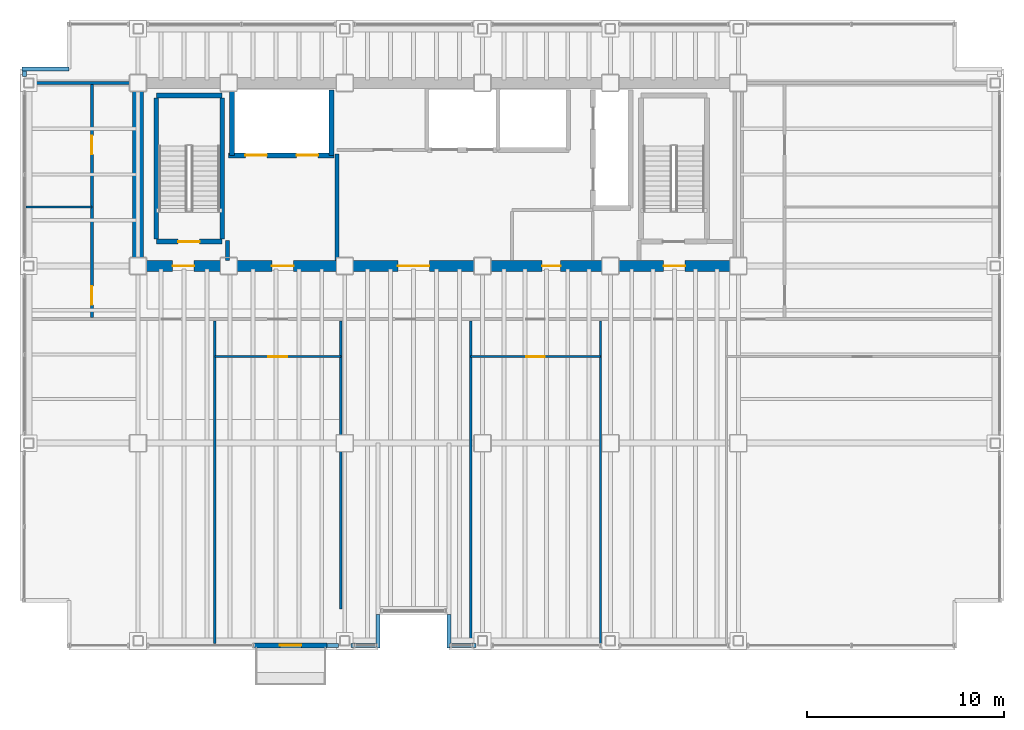
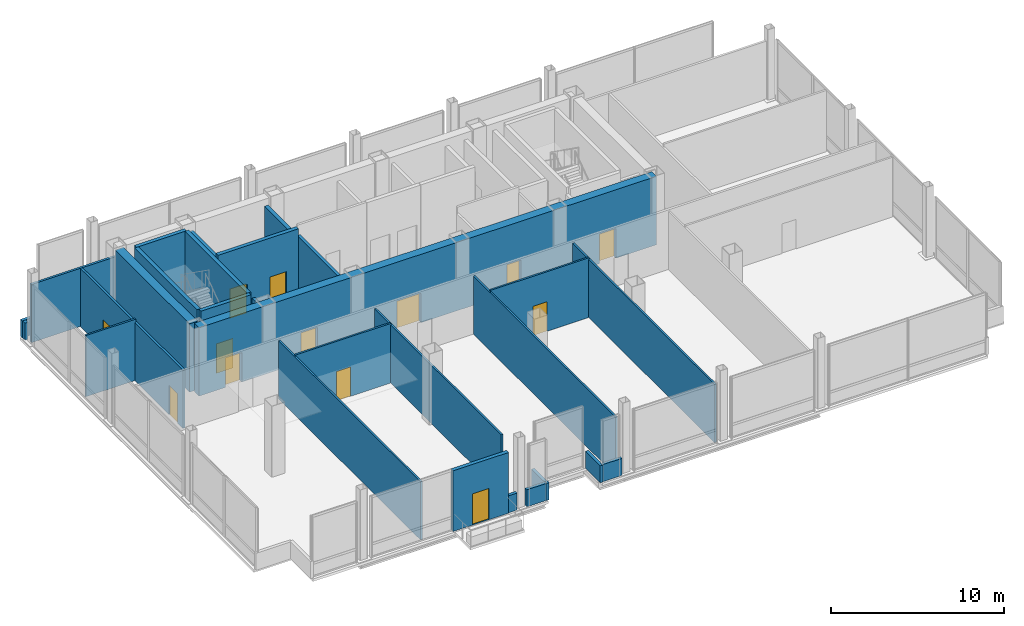
# One storey, part 18 of 22: 28 walls, 13 doors, 13 openings.
"""IFC4 building model written with IfcOpenShell, lengths in metres."""

from ifc_helpers import new_model, si_unit, direction, frame, frame_2d, origin, place, context, subcontext, project, spatial, rectangle, extrude, material, layer, layer_set, type_object, element, fill, save


model = new_model("IFC4")

# Units and contexts
model_context = context("Model", 3, precision=1e-05, world=origin(), true_north=direction((0.0, 1.0)))
body_context = subcontext(model_context, "Body", "Model", "MODEL_VIEW")
ifc_project = project(units=[si_unit("LENGTHUNIT", "METRE"), si_unit("AREAUNIT", "SQUARE_METRE"), si_unit("VOLUMEUNIT", "CUBIC_METRE"), si_unit("PLANEANGLEUNIT", "RADIAN"), si_unit("MASSUNIT", "GRAM", prefix="KILO")], contexts=[model_context])

# Site, building, storey
site_placement = place(None, origin())
site = spatial("IfcSite", under=ifc_project, at=site_placement, CompositionType="ELEMENT")
building_placement = place(site_placement, origin())
building = spatial("IfcBuilding", under=site, at=building_placement, Name="Noeulbin Bourse Tower", CompositionType="ELEMENT")
storey_placement = place(building_placement, frame((0.0, 0.0, 106.0)))
storey = spatial("IfcBuildingStorey", under=building, at=storey_placement, Name="L26", CompositionType="ELEMENT", Elevation=106.0)

# Wall, openings, doors
ifc_material_1 = material(Name="Concrete C60/75", Category="concrete")
ifc_layer_1 = layer(ifc_material_1, 0.550048828125)
ifc_layer_set_1 = layer_set([ifc_layer_1], Name="Concrete C60/75")
wall_type_1 = type_object("IfcWallType", Name="WAL-CORE-550", PredefinedType="SHEAR", material=ifc_layer_set_1)
wall_1_placement = place(storey_placement, frame((13.5, 29.0, 0.0), z_axis=(0.0, 0.0, 1.0), x_axis=(1.0, 0.0, 0.0)))
wall_1 = element("IfcWall", 1, at=wall_1_placement, inside=storey, type_object=wall_type_1, Name="Rear Core South Shear Wall L26", PredefinedType="SHEAR", context=body_context, shape_type="SweptSolid", body=[
    extrude(rectangle(XDim=30.5, YDim=0.550048828125, at=frame_2d((15.25, 0.0))), origin(), (0.0, 0.0, 1.0), 4.820068359375),
])
opening_1_placement = place(wall_1_placement, frame((1.75, 0.0, 0.0)))
opening_1 = element("IfcOpeningElement", 2, at=opening_1_placement, cuts=wall_1, Name="Opening FD-11", PredefinedType="OPENING", context=body_context, shape_type="SweptSolid", body=[
    extrude(rectangle(XDim=1.10009765625, YDim=2.080078125, at=frame_2d((0.550048828125, 1.0400390625))), frame((0.0, 0.284912109375, 0.0), z_axis=(0.0, -1.0, 0.0), x_axis=(1.0, 0.0, 0.0)), (0.0, 0.0, 1.0), 0.570068359375),
])
opening_2_placement = place(wall_1_placement, frame((26.699951171875, 0.0, 0.0)))
opening_2 = element("IfcOpeningElement", 3, at=opening_2_placement, cuts=wall_1, Name="Opening FD-11", PredefinedType="OPENING", context=body_context, shape_type="SweptSolid", body=[
    extrude(rectangle(XDim=1.10009765625, YDim=2.080078125, at=frame_2d((0.550048828125, 1.0400390625))), frame((0.0, 0.284912109375, 0.0), z_axis=(0.0, -1.0, 0.0), x_axis=(1.0, 0.0, 0.0)), (0.0, 0.0, 1.0), 0.570068359375),
])
opening_3_placement = place(wall_1_placement, frame((6.800048828125, 0.0, 0.0)))
opening_3 = element("IfcOpeningElement", 4, at=opening_3_placement, cuts=wall_1, Name="Opening FD-11", PredefinedType="OPENING", context=body_context, shape_type="SweptSolid", body=[
    extrude(rectangle(XDim=1.10009765625, YDim=2.080078125, at=frame_2d((0.550048828125, 1.0400390625))), frame((0.0, 0.284912109375, 0.0), z_axis=(0.0, -1.0, 0.0), x_axis=(1.0, 0.0, 0.0)), (0.0, 0.0, 1.0), 0.570068359375),
])
opening_4_placement = place(wall_1_placement, frame((13.199951171875, 0.0, 0.0)))
opening_4 = element("IfcOpeningElement", 5, at=opening_4_placement, cuts=wall_1, Name="Opening ID-16", PredefinedType="OPENING", context=body_context, shape_type="SweptSolid", body=[
    extrude(rectangle(XDim=1.60009765625, YDim=2.080078125, at=frame_2d((0.800048828125, 1.0400390625))), frame((0.0, 0.284912109375, 0.0), z_axis=(0.0, -1.0, 0.0), x_axis=(1.0, 0.0, 0.0)), (0.0, 0.0, 1.0), 0.570068359375),
])
opening_5_placement = place(wall_1_placement, frame((20.52490234375, 0.0, 0.0)))
opening_5 = element("IfcOpeningElement", 6, at=opening_5_placement, cuts=wall_1, Name="Opening ID-09", PredefinedType="OPENING", context=body_context, shape_type="SweptSolid", body=[
    extrude(rectangle(XDim=0.949951171875, YDim=2.080078125, at=frame_2d((0.47509765625, 1.0400390625))), frame((0.0, 0.284912109375, 0.0), z_axis=(0.0, -1.0, 0.0), x_axis=(1.0, 0.0, 0.0)), (0.0, 0.0, 1.0), 0.570068359375),
])
ifc_material_2 = material(Name="Acoustic Glazed Aluminium", Category="aluminium")
door_type_1 = type_object("IfcDoorType", Name="DR-DBL-1600", OperationType="DOUBLE_DOOR_SINGLE_SWING", PredefinedType="DOOR", material=ifc_material_2)
door_1_placement = place(opening_4_placement, origin())
door_1 = element("IfcDoor", 7, at=door_1_placement, inside=storey, type_object=door_type_1, Name="Passenger Lift Lobby Portal L26", OperationType="DOUBLE_DOOR_SINGLE_SWING", OverallHeight=2.080078125, OverallWidth=1.60009765625, PredefinedType="DOOR", context=body_context, shape_type="SweptSolid", body=[
    extrude(rectangle(XDim=1.60009765625, YDim=2.080078125, at=frame_2d((0.800048828125, 1.0400390625))), frame((0.0, 0.02490234375, 0.0), z_axis=(0.0, -1.0, 0.0), x_axis=(1.0, 0.0, 0.0)), (0.0, 0.0, 1.0), 0.050048828125),
])
fill(opening_4, door_1)
ifc_material_3 = material(Name="Fire-Rated Insulated Steel", Category="steel")
door_type_2 = type_object("IfcDoorType", Name="DR-FD60-1100", OperationType="SINGLE_SWING_LEFT", PredefinedType="DOOR", material=ifc_material_3)
door_2_placement = place(opening_1_placement, origin())
door_2 = element("IfcDoor", 8, at=door_2_placement, inside=storey, type_object=door_type_2, Name="West Stair Lobby Door L26", OperationType="SINGLE_SWING_RIGHT", OverallHeight=2.080078125, OverallWidth=1.10009765625, PredefinedType="DOOR", context=body_context, shape_type="SweptSolid", body=[
    extrude(rectangle(XDim=1.10009765625, YDim=2.080078125, at=frame_2d((0.550048828125, 1.0400390625))), frame((0.0, 0.02490234375, 0.0), z_axis=(0.0, -1.0, 0.0), x_axis=(1.0, 0.0, 0.0)), (0.0, 0.0, 1.0), 0.050048828125),
])
fill(opening_1, door_2)
door_3_placement = place(opening_2_placement, origin())
door_3 = element("IfcDoor", 9, at=door_3_placement, inside=storey, type_object=door_type_2, Name="East Stair Lobby Door L26", OperationType="SINGLE_SWING_LEFT", OverallHeight=2.080078125, OverallWidth=1.10009765625, PredefinedType="DOOR", context=body_context, shape_type="SweptSolid", body=[
    extrude(rectangle(XDim=1.10009765625, YDim=2.080078125, at=frame_2d((0.550048828125, 1.0400390625))), frame((0.0, 0.02490234375, 0.0), z_axis=(0.0, -1.0, 0.0), x_axis=(1.0, 0.0, 0.0)), (0.0, 0.0, 1.0), 0.050048828125),
])
fill(opening_2, door_3)
door_4_placement = place(opening_3_placement, origin())
door_4 = element("IfcDoor", 10, at=door_4_placement, inside=storey, type_object=door_type_2, Name="Firefighting Lobby Door L26", OperationType="SINGLE_SWING_RIGHT", OverallHeight=2.080078125, OverallWidth=1.10009765625, PredefinedType="DOOR", context=body_context, shape_type="SweptSolid", body=[
    extrude(rectangle(XDim=1.10009765625, YDim=2.080078125, at=frame_2d((0.550048828125, 1.0400390625))), frame((0.0, 0.02490234375, 0.0), z_axis=(0.0, -1.0, 0.0), x_axis=(1.0, 0.0, 0.0)), (0.0, 0.0, 1.0), 0.050048828125),
])
fill(opening_3, door_4)
ifc_material_4 = material(Name="Acoustic Solid-Core Timber", Category="wood")
door_type_3 = type_object("IfcDoorType", Name="DR-SINGLE-950", OperationType="SINGLE_SWING_LEFT", PredefinedType="DOOR", material=ifc_material_4)
door_5_placement = place(opening_5_placement, origin())
door_5 = element("IfcDoor", 11, at=door_5_placement, inside=storey, type_object=door_type_3, Name="Interior Door L26-06", OperationType="SINGLE_SWING_LEFT", OverallHeight=2.080078125, OverallWidth=0.949951171875, PredefinedType="DOOR", context=body_context, shape_type="SweptSolid", body=[
    extrude(rectangle(XDim=0.949951171875, YDim=2.080078125, at=frame_2d((0.47509765625, 1.0400390625))), frame((0.0, 0.02490234375, 0.0), z_axis=(0.0, -1.0, 0.0), x_axis=(1.0, 0.0, 0.0)), (0.0, 0.0, 1.0), 0.050048828125),
])
fill(opening_5, door_5)

# Wall
wall_2_placement = place(storey_placement, frame((13.5, 29.35009765625, 0.0), z_axis=(0.0, 0.0, 1.0), x_axis=(0.0, 1.0, 0.0)))
element("IfcWall", 12, at=wall_2_placement, inside=storey, type_object=wall_type_1, Name="Rear Core West Shear Wall L26", PredefinedType="SHEAR", context=body_context, shape_type="SweptSolid", body=[
    extrude(rectangle(XDim=8.599853515625, YDim=0.550048828125, at=frame_2d((4.2998046875, 0.0))), origin(), (0.0, 0.0, 1.0), 4.820068359375),
])

# Wall, opening, door
ifc_material_5 = material(Name="Precast Concrete C40/50", Category="concrete")
ifc_layer_2 = layer(ifc_material_5, 0.25)
ifc_layer_set_2 = layer_set([ifc_layer_2], Name="Precast Concrete C40/50")
wall_type_2 = type_object("IfcWallType", Name="WAL-EXT-250", PredefinedType="STANDARD", material=ifc_layer_set_2)
wall_3_placement = place(storey_placement, frame((19.39990234375, 9.719970703125, 0.0), z_axis=(0.0, 0.0, 1.0), x_axis=(1.0, 0.0, 0.0)))
wall_3 = element("IfcWall", 13, at=wall_3_placement, inside=storey, type_object=wall_type_2, Name="Balcony Threshold Wall L26", PredefinedType="STANDARD", context=body_context, shape_type="SweptSolid", body=[
    extrude(rectangle(XDim=3.7001953125, YDim=0.25, at=frame_2d((1.85009765625, 0.0))), origin(), (0.0, 0.0, 1.0), 4.280029296875),
])
opening_6_placement = place(wall_3_placement, frame((1.300048828125, 0.0, 0.0)))
opening_6 = element("IfcOpeningElement", 14, at=opening_6_placement, cuts=wall_3, Name="Opening BD-11", PredefinedType="OPENING", context=body_context, shape_type="SweptSolid", body=[
    extrude(rectangle(XDim=1.10009765625, YDim=2.199951171875, at=frame_2d((0.550048828125, 1.10009765625))), frame((0.0, 0.135009765625, 0.0), z_axis=(0.0, -1.0, 0.0), x_axis=(1.0, 0.0, 0.0)), (0.0, 0.0, 1.0), 0.27001953125),
])
ifc_material_6 = material(Name="Thermally Broken Aluminium Framed Glass", Category="aluminium")
door_type_4 = type_object("IfcDoorType", Name="DR-BAL-1100", OperationType="SINGLE_SWING_LEFT", PredefinedType="DOOR", material=ifc_material_6)
door_6_placement = place(opening_6_placement, origin())
door_6 = element("IfcDoor", 15, at=door_6_placement, inside=storey, type_object=door_type_4, Name="Tree-Balcony Access Door BD-L26", OperationType="SINGLE_SWING_RIGHT", OverallHeight=2.199951171875, OverallWidth=1.10009765625, PredefinedType="DOOR", context=body_context, shape_type="SweptSolid", body=[
    extrude(rectangle(XDim=1.10009765625, YDim=2.199951171875, at=frame_2d((0.550048828125, 1.10009765625))), frame((0.0, 0.02490234375, 0.0), z_axis=(0.0, -1.0, 0.0), x_axis=(1.0, 0.0, 0.0)), (0.0, 0.0, 1.0), 0.050048828125),
])
fill(opening_6, door_6)

# Walls
ifc_material_7 = material(Name="Concrete C40/50", Category="concrete")
ifc_layer_3 = layer(ifc_material_7, 0.199951171875)
ifc_layer_set_3 = layer_set([ifc_layer_3], Name="Concrete C40/50")
wall_type_3 = type_object("IfcWallType", Name="WAL-FIRE-200", PredefinedType="STANDARD", material=ifc_layer_set_3)
wall_4_placement = place(storey_placement, frame((18.050048828125, 29.284912109375, 0.0), z_axis=(0.0, 0.0, 1.0), x_axis=(0.0, 1.0, 0.0)))
element("IfcWall", 16, at=wall_4_placement, inside=storey, type_object=wall_type_3, Name="Interior Partition Wall L26-12", PredefinedType="STANDARD", context=body_context, shape_type="SweptSolid", body=[
    extrude(rectangle(XDim=1.01513671875, YDim=0.199951171875, at=frame_2d((0.507568359375, 0.0))), origin(), (0.0, 0.0, 1.0), 4.39990234375),
])
wall_5_placement = place(storey_placement, frame((23.60009765625, 29.284912109375, 0.0), z_axis=(0.0, 0.0, 1.0), x_axis=(0.0, 1.0, 0.0)))
element("IfcWall", 17, at=wall_5_placement, inside=storey, type_object=wall_type_3, Name="Interior Partition Wall L26-14", PredefinedType="STANDARD", context=body_context, shape_type="SweptSolid", body=[
    extrude(rectangle(XDim=5.4150390625, YDim=0.199951171875, at=frame_2d((2.70751953125, 0.0))), origin(), (0.0, 0.0, 1.0), 4.199951171875),
])
ifc_layer_4 = layer(ifc_material_7, 0.199951171875)
ifc_layer_set_4 = layer_set([ifc_layer_4], Name="Concrete C40/50")
wall_type_4 = type_object("IfcWallType", Name="WAL-PAR-200", PredefinedType="PARAPET", material=ifc_layer_set_4)
wall_6_placement = place(storey_placement, frame((7.719970703125, 38.6201171875, 0.0), z_axis=(0.0, 0.0, 1.0), x_axis=(0.0, 1.0, 0.0)))
element("IfcWall", 18, at=wall_6_placement, inside=storey, type_object=wall_type_4, Name="Perimeter Pier Spandrel Parapet L26-W1", PredefinedType="PARAPET", context=body_context, shape_type="SweptSolid", body=[
    extrude(rectangle(XDim=0.27978515625, YDim=0.199951171875, at=frame_2d((0.139892578125, 0.0))), origin(), (0.0, 0.0, 1.0), 1.199951171875),
])
wall_7_placement = place(storey_placement, frame((23.10009765625, 9.719970703125, 0.0), z_axis=(0.0, 0.0, 1.0), x_axis=(1.0, 0.0, 0.0)))
element("IfcWall", 19, at=wall_7_placement, inside=storey, type_object=wall_type_4, Name="Perimeter Pier Spandrel Parapet L26-S3", PredefinedType="PARAPET", context=body_context, shape_type="SweptSolid", body=[
    extrude(rectangle(XDim=0.579833984375, YDim=0.199951171875, at=frame_2d((0.2900390625, 0.0))), origin(), (0.0, 0.0, 1.0), 1.199951171875),
])
for number, where, z_axis, x_axis, name in (
    (20, (24.320068359375, 9.719970703125, 0.0), (0.0, 0.0, 1.0), (1.0, 0.0, 0.0), "Perimeter Pier Spandrel Parapet L26-S4"),
    (21, (29.35009765625, 9.719970703125, 0.0), (0.0, 0.0, 1.0), (1.0, 0.0, 0.0), "Perimeter Pier Spandrel Parapet L26-S5"),
):
    element("IfcWall", number, at=place(storey_placement, frame(where, z_axis=z_axis, x_axis=x_axis)), inside=storey, type_object=wall_type_4, Name=name, PredefinedType="PARAPET", context=body_context, shape_type="SweptSolid", body=[
        extrude(rectangle(XDim=1.329833984375, YDim=0.199951171875, at=frame_2d((0.6650390625, 0.0))), origin(), (0.0, 0.0, 1.0), 1.199951171875),
    ])
wall_8_placement = place(storey_placement, frame((7.60009765625, 39.0, 0.0), z_axis=(0.0, 0.0, 1.0), x_axis=(1.0, 0.0, 0.0)))
element("IfcWall", 22, at=wall_8_placement, inside=storey, type_object=wall_type_4, Name="Corner Notch Parapet L26-NW1", PredefinedType="PARAPET", context=body_context, shape_type="SweptSolid", body=[
    extrude(rectangle(XDim=2.39990234375, YDim=0.199951171875, at=frame_2d((1.199951171875, 0.0))), origin(), (0.0, 0.0, 1.0), 1.199951171875),
])
for number, where, z_axis, x_axis, name in (
    (23, (25.699951171875, 9.60009765625, 0.0), (0.0, 0.0, 1.0), (0.0, 1.0, 0.0), "Sky-Garden Recess Parapet L26-W"),
    (24, (29.300048828125, 11.300048828125, 0.0), (0.0, 0.0, 1.0), (0.0, -1.0, 0.0), "Sky-Garden Recess Parapet L26-E"),
):
    element("IfcWall", number, at=place(storey_placement, frame(where, z_axis=z_axis, x_axis=x_axis)), inside=storey, type_object=wall_type_4, Name=name, PredefinedType="PARAPET", context=body_context, shape_type="SweptSolid", body=[
        extrude(rectangle(XDim=1.699951171875, YDim=0.199951171875, at=frame_2d((0.85009765625, 0.0))), origin(), (0.0, 0.0, 1.0), 1.199951171875),
    ])

# Wall, opening, door
ifc_material_8 = material(Name="Steel Stud Gypsum Partition", Category="steel")
ifc_layer_5 = layer(ifc_material_8, 0.1201171875)
ifc_layer_set_5 = layer_set([ifc_layer_5], Name="Steel Stud Gypsum Partition")
wall_type_5 = type_object("IfcWallType", Name="WAL-PRT-120", PredefinedType="PARTITIONING", material=ifc_layer_set_5)
wall_9_placement = place(storey_placement, frame((17.39990234375, 24.39990234375, 0.0), z_axis=(0.0, 0.0, 1.0), x_axis=(1.0, 0.0, 0.0)))
wall_9 = element("IfcWall", 25, at=wall_9_placement, inside=storey, type_object=wall_type_5, Name="Interior Partition Wall L26-07", PredefinedType="PARTITIONING", context=body_context, shape_type="SweptSolid", body=[
    extrude(rectangle(XDim=6.400146484375, YDim=0.1201171875, at=frame_2d((3.2001953125, 0.0))), origin(), (0.0, 0.0, 1.0), 4.199951171875),
])
opening_7_placement = place(wall_9_placement, frame((2.72509765625, 0.0, 0.0)))
opening_7 = element("IfcOpeningElement", 26, at=opening_7_placement, cuts=wall_9, Name="Opening ID-09", PredefinedType="OPENING", context=body_context, shape_type="SweptSolid", body=[
    extrude(rectangle(XDim=0.949951171875, YDim=2.080078125, at=frame_2d((0.47509765625, 1.0400390625))), frame((0.0, 0.070068359375, 0.0), z_axis=(0.0, -1.0, 0.0), x_axis=(1.0, 0.0, 0.0)), (0.0, 0.0, 1.0), 0.14013671875),
])
door_7_placement = place(opening_7_placement, origin())
door_7 = element("IfcDoor", 27, at=door_7_placement, inside=storey, type_object=door_type_3, Name="Interior Door L26-08", OperationType="SINGLE_SWING_LEFT", OverallHeight=2.080078125, OverallWidth=0.949951171875, PredefinedType="DOOR", context=body_context, shape_type="SweptSolid", body=[
    extrude(rectangle(XDim=0.949951171875, YDim=2.080078125, at=frame_2d((0.47509765625, 1.0400390625))), frame((0.0, 0.02490234375, 0.0), z_axis=(0.0, -1.0, 0.0), x_axis=(1.0, 0.0, 0.0)), (0.0, 0.0, 1.0), 0.050048828125),
])
fill(opening_7, door_7)

wall_10_placement = place(storey_placement, frame((30.39990234375, 24.39990234375, 0.0), z_axis=(0.0, 0.0, 1.0), x_axis=(1.0, 0.0, 0.0)))
wall_10 = element("IfcWall", 28, at=wall_10_placement, inside=storey, type_object=wall_type_5, Name="Interior Partition Wall L26-08", PredefinedType="PARTITIONING", context=body_context, shape_type="SweptSolid", body=[
    extrude(rectangle(XDim=6.60009765625, YDim=0.1201171875, at=frame_2d((3.300048828125, 0.0))), origin(), (0.0, 0.0, 1.0), 4.199951171875),
])
opening_8_placement = place(wall_10_placement, frame((2.824951171875, 0.0, 0.0)))
opening_8 = element("IfcOpeningElement", 29, at=opening_8_placement, cuts=wall_10, Name="Opening ID-09", PredefinedType="OPENING", context=body_context, shape_type="SweptSolid", body=[
    extrude(rectangle(XDim=0.949951171875, YDim=2.080078125, at=frame_2d((0.47509765625, 1.0400390625))), frame((0.0, 0.070068359375, 0.0), z_axis=(0.0, -1.0, 0.0), x_axis=(1.0, 0.0, 0.0)), (0.0, 0.0, 1.0), 0.14013671875),
])
door_8_placement = place(opening_8_placement, origin())
door_8 = element("IfcDoor", 30, at=door_8_placement, inside=storey, type_object=door_type_3, Name="Interior Door L26-11", OperationType="SINGLE_SWING_RIGHT", OverallHeight=2.080078125, OverallWidth=0.949951171875, PredefinedType="DOOR", context=body_context, shape_type="SweptSolid", body=[
    extrude(rectangle(XDim=0.949951171875, YDim=2.080078125, at=frame_2d((0.47509765625, 1.0400390625))), frame((0.0, 0.02490234375, 0.0), z_axis=(0.0, -1.0, 0.0), x_axis=(1.0, 0.0, 0.0)), (0.0, 0.0, 1.0), 0.050048828125),
])
fill(opening_8, door_8)

# Walls
wall_11_placement = place(storey_placement, frame((7.81005859375, 32.0, 0.0), z_axis=(0.0, 0.0, 1.0), x_axis=(1.0, 0.0, 0.0)))
element("IfcWall", 31, at=wall_11_placement, inside=storey, type_object=wall_type_5, Name="Interior Partition Wall L26-10", PredefinedType="PARTITIONING", context=body_context, shape_type="SweptSolid", body=[
    extrude(rectangle(XDim=3.33984375, YDim=0.1201171875, at=frame_2d((1.669921875, 0.0))), origin(), (0.0, 0.0, 1.0), 4.31201171875),
])
wall_12_placement = place(storey_placement, frame((17.39990234375, 9.81005859375, 0.0), z_axis=(0.0, 0.0, 1.0), x_axis=(0.0, 1.0, 0.0)))
element("IfcWall", 32, at=wall_12_placement, inside=storey, type_object=wall_type_5, Name="Interior Partition Wall L26-19", PredefinedType="PARTITIONING", context=body_context, shape_type="SweptSolid", body=[
    extrude(rectangle(XDim=16.405029296875, YDim=0.1201171875, at=frame_2d((8.20263671875, 0.0))), origin(), (0.0, 0.0, 1.0), 4.10009765625),
])
wall_13_placement = place(storey_placement, frame((23.800048828125, 11.570068359375, 0.0), z_axis=(0.0, 0.0, 1.0), x_axis=(0.0, 1.0, 0.0)))
element("IfcWall", 33, at=wall_13_placement, inside=storey, type_object=wall_type_5, Name="Interior Partition Wall L26-20", PredefinedType="PARTITIONING", context=body_context, shape_type="SweptSolid", body=[
    extrude(rectangle(XDim=14.64501953125, YDim=0.1201171875, at=frame_2d((7.322509765625, 0.0))), origin(), (0.0, 0.0, 1.0), 4.10009765625),
])
for number, where, z_axis, x_axis, name in (
    (34, (30.39990234375, 9.81005859375, 0.0), (0.0, 0.0, 1.0), (0.0, 1.0, 0.0), "Interior Partition Wall L26-21"),
    (35, (37.0, 9.81005859375, 0.0), (0.0, 0.0, 1.0), (0.0, 1.0, 0.0), "Interior Partition Wall L26-22"),
):
    element("IfcWall", number, at=place(storey_placement, frame(where, z_axis=z_axis, x_axis=x_axis)), inside=storey, type_object=wall_type_5, Name=name, PredefinedType="PARTITIONING", context=body_context, shape_type="SweptSolid", body=[
        extrude(rectangle(XDim=16.405029296875, YDim=0.1201171875, at=frame_2d((8.20263671875, 0.0))), origin(), (0.0, 0.0, 1.0), 4.10009765625),
    ])
ifc_material_9 = material(Name="Steel Stud Acoustic Gypsum Board", Category="steel")
ifc_layer_6 = layer(ifc_material_9, 0.14990234375)
ifc_layer_set_6 = layer_set([ifc_layer_6], Name="Steel Stud Acoustic Gypsum Board")
wall_type_6 = type_object("IfcWallType", Name="WAL-PRT-150", PredefinedType="PARTITIONING", material=ifc_layer_set_6)
wall_14_placement = place(storey_placement, frame((7.81005859375, 38.300048828125, 0.0), z_axis=(0.0, 0.0, 1.0), x_axis=(1.0, 0.0, 0.0)))
element("IfcWall", 36, at=wall_14_placement, inside=storey, type_object=wall_type_6, Name="Interior Partition Wall L26-05", PredefinedType="PARTITIONING", context=body_context, shape_type="SweptSolid", body=[
    extrude(rectangle(XDim=5.68994140625, YDim=0.14990234375, at=frame_2d((2.844970703125, 0.0))), origin(), (0.0, 0.0, 1.0), 4.10009765625),
])

# Wall, openings, doors
wall_15_placement = place(storey_placement, frame((11.14990234375, 26.385009765625, 0.0), z_axis=(0.0, 0.0, 1.0), x_axis=(0.0, 1.0, 0.0)))
wall_15 = element("IfcWall", 37, at=wall_15_placement, inside=storey, type_object=wall_type_6, Name="Interior Partition Wall L26-17", PredefinedType="PARTITIONING", context=body_context, shape_type="SweptSolid", body=[
    extrude(rectangle(XDim=11.830078125, YDim=0.14990234375, at=frame_2d((5.9150390625, 0.0))), origin(), (0.0, 0.0, 1.0), 4.10009765625),
])
opening_9_placement = place(wall_15_placement, frame((0.639892578125, 0.0, 0.0)))
opening_9 = element("IfcOpeningElement", 38, at=opening_9_placement, cuts=wall_15, Name="Opening ID-09", PredefinedType="OPENING", context=body_context, shape_type="SweptSolid", body=[
    extrude(rectangle(XDim=0.949951171875, YDim=2.080078125, at=frame_2d((0.47509765625, 1.0400390625))), frame((0.0, 0.0849609375, 0.0), z_axis=(0.0, -1.0, 0.0), x_axis=(1.0, 0.0, 0.0)), (0.0, 0.0, 1.0), 0.169921875),
])
opening_10_placement = place(wall_15_placement, frame((8.2900390625, 0.0, 0.0)))
opening_10 = element("IfcOpeningElement", 39, at=opening_10_placement, cuts=wall_15, Name="Opening ID-09", PredefinedType="OPENING", context=body_context, shape_type="SweptSolid", body=[
    extrude(rectangle(XDim=0.949951171875, YDim=2.080078125, at=frame_2d((0.47509765625, 1.0400390625))), frame((0.0, 0.0849609375, 0.0), z_axis=(0.0, -1.0, 0.0), x_axis=(1.0, 0.0, 0.0)), (0.0, 0.0, 1.0), 0.169921875),
])
door_9_placement = place(opening_9_placement, origin())
door_9 = element("IfcDoor", 40, at=door_9_placement, inside=storey, type_object=door_type_3, Name="Interior Door L26-16", OperationType="SINGLE_SWING_LEFT", OverallHeight=2.080078125, OverallWidth=0.949951171875, PredefinedType="DOOR", context=body_context, shape_type="SweptSolid", body=[
    extrude(rectangle(XDim=0.949951171875, YDim=2.080078125, at=frame_2d((0.47509765625, 1.0400390625))), frame((0.0, 0.02490234375, 0.0), z_axis=(0.0, -1.0, 0.0), x_axis=(1.0, 0.0, 0.0)), (0.0, 0.0, 1.0), 0.050048828125),
])
fill(opening_9, door_9)
door_10_placement = place(opening_10_placement, origin())
door_10 = element("IfcDoor", 41, at=door_10_placement, inside=storey, type_object=door_type_3, Name="Interior Door L26-17", OperationType="SINGLE_SWING_RIGHT", OverallHeight=2.080078125, OverallWidth=0.949951171875, PredefinedType="DOOR", context=body_context, shape_type="SweptSolid", body=[
    extrude(rectangle(XDim=0.949951171875, YDim=2.080078125, at=frame_2d((0.47509765625, 1.0400390625))), frame((0.0, 0.02490234375, 0.0), z_axis=(0.0, -1.0, 0.0), x_axis=(1.0, 0.0, 0.0)), (0.0, 0.0, 1.0), 0.050048828125),
])
fill(opening_10, door_10)

# Wall, opening, door
ifc_layer_7 = layer(ifc_material_7, 0.25)
ifc_layer_set_7 = layer_set([ifc_layer_7], Name="Concrete C40/50")
wall_type_7 = type_object("IfcWallType", Name="WAL-SHFT-250", PredefinedType="STANDARD", material=ifc_layer_set_7)
wall_16_placement = place(storey_placement, frame((14.429931640625, 30.235107421875, 0.0), z_axis=(0.0, 0.0, 1.0), x_axis=(1.0, 0.0, 0.0)))
wall_16 = element("IfcWall", 42, at=wall_16_placement, inside=storey, type_object=wall_type_7, Name="Stair ST-1 South Shaft Wall L26", PredefinedType="STANDARD", context=body_context, shape_type="SweptSolid", body=[
    extrude(rectangle(XDim=3.340087890625, YDim=0.25, at=frame_2d((1.669921875, 0.0))), origin(), (0.0, 0.0, 1.0), 4.820068359375),
])
opening_11_placement = place(wall_16_placement, frame((1.10009765625, 0.0, 0.0)))
opening_11 = element("IfcOpeningElement", 43, at=opening_11_placement, cuts=wall_16, Name="Opening FD-11", PredefinedType="OPENING", context=body_context, shape_type="SweptSolid", body=[
    extrude(rectangle(XDim=1.10009765625, YDim=2.080078125, at=frame_2d((0.550048828125, 1.0400390625))), frame((0.0, 0.135009765625, 0.0), z_axis=(0.0, -1.0, 0.0), x_axis=(1.0, 0.0, 0.0)), (0.0, 0.0, 1.0), 0.27001953125),
])
door_11_placement = place(opening_11_placement, origin())
door_11 = element("IfcDoor", 44, at=door_11_placement, inside=storey, type_object=door_type_2, Name="Protected Stair Entry Door ST1-L26", OperationType="SINGLE_SWING_RIGHT", OverallHeight=2.080078125, OverallWidth=1.10009765625, PredefinedType="DOOR", context=body_context, shape_type="SweptSolid", body=[
    extrude(rectangle(XDim=1.10009765625, YDim=2.080078125, at=frame_2d((0.550048828125, 1.0400390625))), frame((0.0, 0.02490234375, 0.0), z_axis=(0.0, -1.0, 0.0), x_axis=(1.0, 0.0, 0.0)), (0.0, 0.0, 1.0), 0.050048828125),
])
fill(opening_11, door_11)

# Walls
wall_17_placement = place(storey_placement, frame((14.429931640625, 37.6689453125, 0.0), z_axis=(0.0, 0.0, 1.0), x_axis=(1.0, 0.0, 0.0)))
element("IfcWall", 45, at=wall_17_placement, inside=storey, type_object=wall_type_7, Name="Stair ST-1 North Shaft Wall L26", PredefinedType="STANDARD", context=body_context, shape_type="SweptSolid", body=[
    extrude(rectangle(XDim=3.340087890625, YDim=0.25, at=frame_2d((1.669921875, 0.0))), origin(), (0.0, 0.0, 1.0), 4.820068359375),
])
for number, where, z_axis, x_axis, name in (
    (46, (14.425048828125, 30.360107421875, 0.0), (0.0, 0.0, 1.0), (0.0, 1.0, 0.0), "Stair ST-1 West Shaft Wall L26"),
    (47, (17.77490234375, 30.360107421875, 0.0), (0.0, 0.0, 1.0), (0.0, 1.0, 0.0), "Stair ST-1 East Shaft Wall L26"),
):
    element("IfcWall", number, at=place(storey_placement, frame(where, z_axis=z_axis, x_axis=x_axis)), inside=storey, type_object=wall_type_7, Name=name, PredefinedType="STANDARD", context=body_context, shape_type="SweptSolid", body=[
        extrude(rectangle(XDim=7.183837890625, YDim=0.25, at=frame_2d((3.591796875, 0.0))), origin(), (0.0, 0.0, 1.0), 4.820068359375),
    ])

# Wall, openings, doors
wall_18_placement = place(storey_placement, frame((18.10009765625, 34.6201171875, 0.0), z_axis=(0.0, 0.0, 1.0), x_axis=(1.0, 0.0, 0.0)))
wall_18 = element("IfcWall", 48, at=wall_18_placement, inside=storey, type_object=wall_type_7, Name="Firefighting Lift Shaft Front L26", PredefinedType="STANDARD", context=body_context, shape_type="SweptSolid", body=[
    extrude(rectangle(XDim=5.349853515625, YDim=0.25, at=frame_2d((2.6748046875, 0.0))), origin(), (0.0, 0.0, 1.0), 4.820068359375),
])
opening_12_placement = place(wall_18_placement, frame((0.85009765625, 0.0, 0.0)))
opening_12 = element("IfcOpeningElement", 49, at=opening_12_placement, cuts=wall_18, Name="Opening LD-11", PredefinedType="OPENING", context=body_context, shape_type="SweptSolid", body=[
    extrude(rectangle(XDim=1.10009765625, YDim=2.080078125, at=frame_2d((0.550048828125, 1.0400390625))), frame((0.0, 0.135009765625, 0.0), z_axis=(0.0, -1.0, 0.0), x_axis=(1.0, 0.0, 0.0)), (0.0, 0.0, 1.0), 0.27001953125),
])
opening_13_placement = place(wall_18_placement, frame((3.449951171875, 0.0, 0.0)))
opening_13 = element("IfcOpeningElement", 50, at=opening_13_placement, cuts=wall_18, Name="Opening LD-11", PredefinedType="OPENING", context=body_context, shape_type="SweptSolid", body=[
    extrude(rectangle(XDim=1.10009765625, YDim=2.080078125, at=frame_2d((0.550048828125, 1.0400390625))), frame((0.0, 0.135009765625, 0.0), z_axis=(0.0, -1.0, 0.0), x_axis=(1.0, 0.0, 0.0)), (0.0, 0.0, 1.0), 0.27001953125),
])
ifc_material_10 = material(Name="Brushed Stainless Steel 316", Category="steel")
door_type_5 = type_object("IfcDoorType", Name="DR-LIFT-1100", OperationType="SLIDING_TO_LEFT", PredefinedType="DOOR", material=ifc_material_10)
door_12_placement = place(opening_12_placement, origin())
door_12 = element("IfcDoor", 51, at=door_12_placement, inside=storey, type_object=door_type_5, Name="Lift Landing Door LD-FL-01-L26", OperationType="SLIDING_TO_LEFT", OverallHeight=2.080078125, OverallWidth=1.10009765625, PredefinedType="DOOR", context=body_context, shape_type="SweptSolid", body=[
    extrude(rectangle(XDim=1.10009765625, YDim=2.080078125, at=frame_2d((0.550048828125, 1.0400390625))), frame((0.0, 0.02490234375, 0.0), z_axis=(0.0, -1.0, 0.0), x_axis=(1.0, 0.0, 0.0)), (0.0, 0.0, 1.0), 0.050048828125),
])
fill(opening_12, door_12)
door_13_placement = place(opening_13_placement, origin())
door_13 = element("IfcDoor", 52, at=door_13_placement, inside=storey, type_object=door_type_5, Name="Lift Landing Door LD-FL-02-L26", OperationType="SLIDING_TO_LEFT", OverallHeight=2.080078125, OverallWidth=1.10009765625, PredefinedType="DOOR", context=body_context, shape_type="SweptSolid", body=[
    extrude(rectangle(XDim=1.10009765625, YDim=2.080078125, at=frame_2d((0.550048828125, 1.0400390625))), frame((0.0, 0.02490234375, 0.0), z_axis=(0.0, -1.0, 0.0), x_axis=(1.0, 0.0, 0.0)), (0.0, 0.0, 1.0), 0.050048828125),
])
fill(opening_13, door_13)

# Walls
for number, where, z_axis, x_axis, name in (
    (53, (18.280029296875, 34.6201171875, 0.0), (0.0, 0.0, 1.0), (0.0, 1.0, 0.0), "Firefighting Lift West Shaft Wall L26"),
    (54, (23.320068359375, 34.6201171875, 0.0), (0.0, 0.0, 1.0), (0.0, 1.0, 0.0), "Firefighting Lift East Shaft Wall L26"),
):
    element("IfcWall", number, at=place(storey_placement, frame(where, z_axis=z_axis, x_axis=x_axis)), inside=storey, type_object=wall_type_7, Name=name, PredefinedType="STANDARD", context=body_context, shape_type="SweptSolid", body=[
        extrude(rectangle(XDim=3.329833984375, YDim=0.25, at=frame_2d((1.6650390625, 0.0))), origin(), (0.0, 0.0, 1.0), 4.39990234375),
    ])

save(model, "model.ifc")
